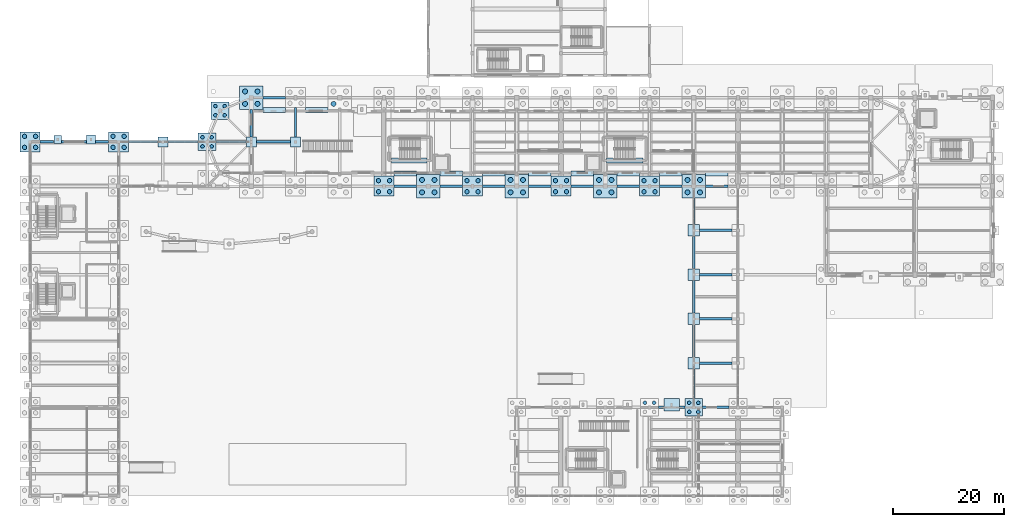
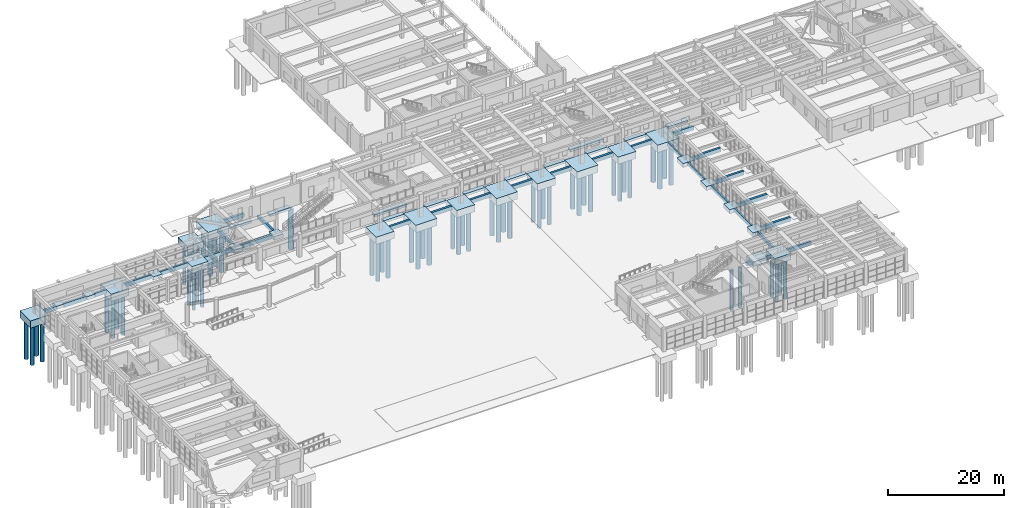
# One storey, part 3 of 68: 66 footings, 59 piles.
"""IFC4 building model written with IfcOpenShell, lengths in metres."""

from ifc_helpers import new_model, si_unit, direction, frame, origin, origin_2d, place, context, subcontext, project, spatial, polyline, rectangle, circle, outline, extrude, material, material_profile, profile_set, type_object, element, save


model = new_model("IFC4")

# Units and contexts
model_context = context("Model", 3, precision=1e-05, world=origin(), true_north=direction((0.0, 1.0)))
body_context = subcontext(model_context, "Body", "Model", "MODEL_VIEW")
ifc_project = project(units=[si_unit("LENGTHUNIT", "METRE"), si_unit("AREAUNIT", "SQUARE_METRE"), si_unit("VOLUMEUNIT", "CUBIC_METRE"), si_unit("PLANEANGLEUNIT", "RADIAN"), si_unit("MASSUNIT", "GRAM", prefix="KILO")], contexts=[model_context])

# Site, building, storey
site_placement = place(None, origin())
site = spatial("IfcSite", under=ifc_project, at=site_placement, CompositionType="ELEMENT")
building_placement = place(site_placement, origin())
building = spatial("IfcBuilding", under=site, at=building_placement, Name="Serraluz Foothill Cableway Terminal", CompositionType="ELEMENT")
storey_placement = place(building_placement, origin())
storey = spatial("IfcBuildingStorey", under=building, at=storey_placement, Name="L00", CompositionType="ELEMENT", Elevation=0.0)

# Footings
ifc_material_1 = material(Name="Concrete C35/45 (f'c 35 MPa)", Category="concrete")
ifc_material_profile_1 = material_profile(ifc_material_1, rectangle(XDim=0.39990234375, YDim=0.64990234375, at=origin_2d()), Name="RC 400x650")
ifc_profile_set_1 = profile_set([ifc_material_profile_1], Name="Concrete C35/45 (f'c 35 MPa)")
footing_type_1 = type_object("IfcFootingType", Name="TYP-FB-400X650", PredefinedType="FOOTING_BEAM", material=ifc_profile_set_1)
footing_1_placement = place(storey_placement, frame((40.0, 64.924072265625, -0.324951171875), z_axis=(0.0, 1.0, 0.0), x_axis=(-1.0, 0.0, 0.0)))
element("IfcFooting", 1, at=footing_1_placement, inside=storey, type_object=footing_type_1, Name="Seismic Tie Footing Beam FB-134", PredefinedType="FOOTING_BEAM", context=body_context, shape_type="SweptSolid", body=[
    extrude(rectangle(XDim=0.39990234375, YDim=0.64990234375, at=origin_2d()), origin(), (0.0, 0.0, 1.0), 4.951904296875),
])
footing_2_placement = place(storey_placement, frame((48.0, 64.924072265625, -0.324951171875), z_axis=(0.0, 1.0, 0.0), x_axis=(-1.0, 0.0, 0.0)))
element("IfcFooting", 2, at=footing_2_placement, inside=storey, type_object=footing_type_1, Name="Seismic Tie Footing Beam FB-136", PredefinedType="FOOTING_BEAM", context=body_context, shape_type="SweptSolid", body=[
    extrude(rectangle(XDim=0.39990234375, YDim=0.64990234375, at=origin_2d()), origin(), (0.0, 0.0, 1.0), 5.251953125),
])
footing_3_placement = place(storey_placement, frame((120.0, 17.6240234375, -0.324951171875), z_axis=(0.0, 1.0, 0.0), x_axis=(-1.0, 0.0, 0.0)))
element("IfcFooting", 3, at=footing_3_placement, inside=storey, type_object=footing_type_1, Name="Seismic Tie Footing Beam FB-152", PredefinedType="FOOTING_BEAM", context=body_context, shape_type="SweptSolid", body=[
    extrude(rectangle(XDim=0.39990234375, YDim=0.64990234375, at=origin_2d()), origin(), (0.0, 0.0, 1.0), 5.302001953125),
])
for number, where, z_axis, x_axis, name in (
    (4, (120.0, 25.073974609375, -0.324951171875), (0.0, 1.0, 0.0), (-1.0, 0.0, 0.0), "Seismic Tie Footing Beam FB-153"),
    (5, (120.0, 33.073974609375, -0.324951171875), (0.0, 1.0, 0.0), (-1.0, 0.0, 0.0), "Seismic Tie Footing Beam FB-154"),
    (6, (120.0, 41.073974609375, -0.324951171875), (0.0, 1.0, 0.0), (-1.0, 0.0, 0.0), "Seismic Tie Footing Beam FB-155"),
):
    element("IfcFooting", number, at=place(storey_placement, frame(where, z_axis=z_axis, x_axis=x_axis)), inside=storey, type_object=footing_type_1, Name=name, PredefinedType="FOOTING_BEAM", context=body_context, shape_type="SweptSolid", body=[
        extrude(rectangle(XDim=0.39990234375, YDim=0.64990234375, at=origin_2d()), origin(), (0.0, 0.0, 1.0), 5.85205078125),
    ])
footing_4_placement = place(storey_placement, frame((120.0, 49.073974609375, -0.324951171875), z_axis=(0.0, 1.0, 0.0), x_axis=(-1.0, 0.0, 0.0)))
element("IfcFooting", 7, at=footing_4_placement, inside=storey, type_object=footing_type_1, Name="Seismic Tie Footing Beam FB-156", PredefinedType="FOOTING_BEAM", context=body_context, shape_type="SweptSolid", body=[
    extrude(rectangle(XDim=0.39990234375, YDim=0.64990234375, at=origin_2d()), origin(), (0.0, 0.0, 1.0), 4.802001953125),
])
ifc_material_profile_2 = material_profile(ifc_material_1, rectangle(XDim=0.449951171875, YDim=0.800048828125, at=origin_2d()), Name="RC 450x800")
ifc_profile_set_2 = profile_set([ifc_material_profile_2], Name="Concrete C35/45 (f'c 35 MPa)")
footing_type_2 = type_object("IfcFootingType", Name="TYP-FB-450X700", PredefinedType="FOOTING_BEAM", material=ifc_profile_set_2)
for number, where, z_axis, x_axis, name in (
    (8, (113.6240234375, 16.0, -0.39990234375), (1.0, 0.0, 0.0), (0.0, 1.0, 0.0), "Seismic Tie Footing Beam FB-044"),
    (9, (117.424072265625, 16.0, -0.39990234375), (1.0, 0.0, 0.0), (0.0, 1.0, 0.0), "Seismic Tie Footing Beam FB-045"),
):
    element("IfcFooting", number, at=place(storey_placement, frame(where, z_axis=z_axis, x_axis=x_axis)), inside=storey, type_object=footing_type_2, Name=name, PredefinedType="FOOTING_BEAM", context=body_context, shape_type="SweptSolid", body=[
        extrude(rectangle(XDim=0.449951171875, YDim=0.800048828125, at=origin_2d()), origin(), (0.0, 0.0, 1.0), 0.951904296875),
    ])
footing_5_placement = place(storey_placement, frame((121.6240234375, 16.0, -0.39990234375), z_axis=(1.0, 0.0, 0.0), x_axis=(0.0, 1.0, 0.0)))
element("IfcFooting", 10, at=footing_5_placement, inside=storey, type_object=footing_type_2, Name="Seismic Tie Footing Beam FB-046", PredefinedType="FOOTING_BEAM", context=body_context, shape_type="SweptSolid", body=[
    extrude(rectangle(XDim=0.449951171875, YDim=0.800048828125, at=origin_2d()), origin(), (0.0, 0.0, 1.0), 4.751953125),
])
for number, where, z_axis, x_axis, name in (
    (11, (121.073974609375, 24.0, -0.39990234375), (1.0, 0.0, 0.0), (0.0, 1.0, 0.0), "Seismic Tie Footing Beam FB-049"),
    (12, (121.073974609375, 32.0, -0.39990234375), (1.0, 0.0, 0.0), (0.0, 1.0, 0.0), "Seismic Tie Footing Beam FB-051"),
    (13, (121.073974609375, 40.0, -0.39990234375), (1.0, 0.0, 0.0), (0.0, 1.0, 0.0), "Seismic Tie Footing Beam FB-053"),
    (14, (121.073974609375, 48.0, -0.39990234375), (1.0, 0.0, 0.0), (0.0, 1.0, 0.0), "Seismic Tie Footing Beam FB-060"),
):
    element("IfcFooting", number, at=place(storey_placement, frame(where, z_axis=z_axis, x_axis=x_axis)), inside=storey, type_object=footing_type_2, Name=name, PredefinedType="FOOTING_BEAM", context=body_context, shape_type="SweptSolid", body=[
        extrude(rectangle(XDim=0.449951171875, YDim=0.800048828125, at=origin_2d()), origin(), (0.0, 0.0, 1.0), 5.85205078125),
    ])
for number, where, z_axis, x_axis, name in (
    (15, (65.823974609375, 56.0, -0.39990234375), (1.0, 0.0, 0.0), (0.0, 1.0, 0.0), "Seismic Tie Footing Beam FB-070"),
    (16, (74.1240234375, 56.0, -0.39990234375), (1.0, 0.0, 0.0), (0.0, 1.0, 0.0), "Seismic Tie Footing Beam FB-071"),
    (17, (81.823974609375, 56.0, -0.39990234375), (1.0, 0.0, 0.0), (0.0, 1.0, 0.0), "Seismic Tie Footing Beam FB-072"),
    (18, (90.1240234375, 56.0, -0.39990234375), (1.0, 0.0, 0.0), (0.0, 1.0, 0.0), "Seismic Tie Footing Beam FB-073"),
    (19, (97.823974609375, 56.0, -0.39990234375), (1.0, 0.0, 0.0), (0.0, 1.0, 0.0), "Seismic Tie Footing Beam FB-074"),
    (20, (106.1240234375, 56.0, -0.39990234375), (1.0, 0.0, 0.0), (0.0, 1.0, 0.0), "Seismic Tie Footing Beam FB-075"),
    (21, (113.823974609375, 56.0, -0.39990234375), (1.0, 0.0, 0.0), (0.0, 1.0, 0.0), "Seismic Tie Footing Beam FB-076"),
    (22, (122.1240234375, 56.0, -0.39990234375), (1.0, 0.0, 0.0), (0.0, 1.0, 0.0), "Seismic Tie Footing Beam FB-077"),
):
    element("IfcFooting", number, at=place(storey_placement, frame(where, z_axis=z_axis, x_axis=x_axis)), inside=storey, type_object=footing_type_2, Name=name, PredefinedType="FOOTING_BEAM", context=body_context, shape_type="SweptSolid", body=[
        extrude(rectangle(XDim=0.449951171875, YDim=0.800048828125, at=origin_2d()), origin(), (0.0, 0.0, 1.0), 4.052001953125),
    ])
footing_6_placement = place(storey_placement, frame((1.823974609375, 64.0, -0.39990234375), z_axis=(1.0, 0.0, 0.0), x_axis=(0.0, 1.0, 0.0)))
element("IfcFooting", 23, at=footing_6_placement, inside=storey, type_object=footing_type_2, Name="Seismic Tie Footing Beam FB-083", PredefinedType="FOOTING_BEAM", context=body_context, shape_type="SweptSolid", body=[
    extrude(rectangle(XDim=0.449951171875, YDim=0.800048828125, at=origin_2d()), origin(), (0.0, 0.0, 1.0), 2.451904296875),
])
footing_7_placement = place(storey_placement, frame((5.72412109375, 64.0, -0.39990234375), z_axis=(1.0, 0.0, 0.0), x_axis=(0.0, 1.0, 0.0)))
element("IfcFooting", 24, at=footing_7_placement, inside=storey, type_object=footing_type_2, Name="Seismic Tie Footing Beam FB-084", PredefinedType="FOOTING_BEAM", context=body_context, shape_type="SweptSolid", body=[
    extrude(rectangle(XDim=0.449951171875, YDim=0.800048828125, at=origin_2d()), origin(), (0.0, 0.0, 1.0), 4.451904296875),
])
footing_8_placement = place(storey_placement, frame((11.823974609375, 64.0, -0.39990234375), z_axis=(1.0, 0.0, 0.0), x_axis=(0.0, 1.0, 0.0)))
element("IfcFooting", 25, at=footing_8_placement, inside=storey, type_object=footing_type_2, Name="Seismic Tie Footing Beam FB-085", PredefinedType="FOOTING_BEAM", context=body_context, shape_type="SweptSolid", body=[
    extrude(rectangle(XDim=0.449951171875, YDim=0.800048828125, at=origin_2d()), origin(), (0.0, 0.0, 1.0), 2.35205078125),
])
footing_9_placement = place(storey_placement, frame((17.823974609375, 64.0, -0.39990234375), z_axis=(1.0, 0.0, 0.0), x_axis=(0.0, 1.0, 0.0)))
element("IfcFooting", 26, at=footing_9_placement, inside=storey, type_object=footing_type_2, Name="Seismic Tie Footing Beam FB-086", PredefinedType="FOOTING_BEAM", context=body_context, shape_type="SweptSolid", body=[
    extrude(rectangle(XDim=0.449951171875, YDim=0.800048828125, at=origin_2d()), origin(), (0.0, 0.0, 1.0), 5.251953125),
])
for number, where, z_axis, x_axis, name in (
    (27, (24.924072265625, 64.0, -0.39990234375), (1.0, 0.0, 0.0), (0.0, 1.0, 0.0), "Seismic Tie Footing Beam FB-087"),
    (28, (33.6240234375, 64.0, -0.39990234375), (1.0, 0.0, 0.0), (0.0, 1.0, 0.0), "Seismic Tie Footing Beam FB-088"),
):
    element("IfcFooting", number, at=place(storey_placement, frame(where, z_axis=z_axis, x_axis=x_axis)), inside=storey, type_object=footing_type_2, Name=name, PredefinedType="FOOTING_BEAM", context=body_context, shape_type="SweptSolid", body=[
        extrude(rectangle(XDim=0.449951171875, YDim=0.800048828125, at=origin_2d()), origin(), (0.0, 0.0, 1.0), 5.451904296875),
    ])
footing_10_placement = place(storey_placement, frame((40.924072265625, 64.0, -0.39990234375), z_axis=(1.0, 0.0, 0.0), x_axis=(0.0, 1.0, 0.0)))
element("IfcFooting", 29, at=footing_10_placement, inside=storey, type_object=footing_type_2, Name="Seismic Tie Footing Beam FB-089", PredefinedType="FOOTING_BEAM", context=body_context, shape_type="SweptSolid", body=[
    extrude(rectangle(XDim=0.449951171875, YDim=0.800048828125, at=origin_2d()), origin(), (0.0, 0.0, 1.0), 6.15185546875),
])
footing_11_placement = place(storey_placement, frame((42.1240234375, 72.0, -0.39990234375), z_axis=(1.0, 0.0, 0.0), x_axis=(0.0, 1.0, 0.0)))
element("IfcFooting", 30, at=footing_11_placement, inside=storey, type_object=footing_type_2, Name="Seismic Tie Footing Beam FB-090", PredefinedType="FOOTING_BEAM", context=body_context, shape_type="SweptSolid", body=[
    extrude(rectangle(XDim=0.449951171875, YDim=0.800048828125, at=origin_2d()), origin(), (0.0, 0.0, 1.0), 4.052001953125),
])
footing_type_3 = type_object("IfcFootingType", Name="TYP-PAD-1400X1400X650", PredefinedType="PAD_FOOTING", material=ifc_material_1)
footing_12_placement = place(storey_placement, frame((5.0, 64.419921875, -0.64990234375), z_axis=(0.0, 0.0, 1.0), x_axis=(1.0, 0.0, 0.0)))
element("IfcFooting", 31, at=footing_12_placement, inside=storey, type_object=footing_type_3, Name="Pilaster Pad Footing 36", PredefinedType="PAD_FOOTING", context=body_context, shape_type="SweptSolid", body=[
    extrude(rectangle(XDim=1.39990234375, YDim=1.39990234375, at=origin_2d()), origin(), (0.0, 0.0, 1.0), 0.64990234375),
])
footing_type_4 = type_object("IfcFootingType", Name="TYP-PAD-1600X1600X700", PredefinedType="PAD_FOOTING", material=ifc_material_1)
footing_13_placement = place(storey_placement, frame((11.0, 64.419921875, -0.7001953125), z_axis=(0.0, 0.0, 1.0), x_axis=(1.0, 0.0, 0.0)))
element("IfcFooting", 32, at=footing_13_placement, inside=storey, type_object=footing_type_4, Name="Pilaster Pad Footing 37", PredefinedType="PAD_FOOTING", context=body_context, shape_type="SweptSolid", body=[
    extrude(rectangle(XDim=1.60009765625, YDim=1.60009765625, at=origin_2d()), origin(), (0.0, 0.0, 1.0), 0.699951171875),
])
footing_type_5 = type_object("IfcFootingType", Name="TYP-PAD-1800X1800X750", PredefinedType="PAD_FOOTING", material=ifc_material_1)
for number, where, z_axis, x_axis, name in (
    (33, (24.0, 64.0, -0.75), (0.0, 0.0, 1.0), (1.0, 0.0, 0.0), "Pad Footing FTG-PAD-L00-087"),
    (34, (48.0, 64.0, -0.75), (0.0, 0.0, 1.0), (1.0, 0.0, 0.0), "Pad Footing FTG-PAD-L00-088"),
    (35, (40.0, 64.0, -0.75), (0.0, 0.0, 1.0), (1.0, 0.0, 0.0), "West Link Bridge Footing FTG-V5-LK-40-64"),
):
    element("IfcFooting", number, at=place(storey_placement, frame(where, z_axis=z_axis, x_axis=x_axis)), inside=storey, type_object=footing_type_5, Name=name, PredefinedType="PAD_FOOTING", context=body_context, shape_type="SweptSolid", body=[
        extrude(rectangle(XDim=1.800048828125, YDim=1.800048828125, at=origin_2d()), origin(), (0.0, 0.0, 1.0), 0.75),
    ])
footing_type_6 = type_object("IfcFootingType", Name="TYP-PAD-2100X2100X850", PredefinedType="PAD_FOOTING", material=ifc_material_1)
for number, where, z_axis, x_axis, name in (
    (36, (120.0, 24.0, -0.85009765625), (0.0, 0.0, 1.0), (1.0, 0.0, 0.0), "Pad Footing FTG-PAD-L00-056"),
    (37, (120.0, 32.0, -0.85009765625), (0.0, 0.0, 1.0), (1.0, 0.0, 0.0), "Pad Footing FTG-PAD-L00-058"),
    (38, (120.0, 40.0, -0.85009765625), (0.0, 0.0, 1.0), (1.0, 0.0, 0.0), "Pad Footing FTG-PAD-L00-060"),
    (39, (120.0, 48.0, -0.85009765625), (0.0, 0.0, 1.0), (1.0, 0.0, 0.0), "Pad Footing FTG-PAD-L00-062"),
):
    element("IfcFooting", number, at=place(storey_placement, frame(where, z_axis=z_axis, x_axis=x_axis)), inside=storey, type_object=footing_type_6, Name=name, PredefinedType="PAD_FOOTING", context=body_context, shape_type="SweptSolid", body=[
        extrude(rectangle(XDim=2.10009765625, YDim=2.10009765625, at=origin_2d()), origin(), (0.0, 0.0, 1.0), 0.85009765625),
    ])
footing_type_7 = type_object("IfcFootingType", Name="TYP-PAD-2800X2200X950", PredefinedType="PAD_FOOTING", material=ifc_material_1)
footing_14_placement = place(storey_placement, frame((116.0, 16.47998046875, -0.9501953125), z_axis=(0.0, 0.0, 1.0), x_axis=(1.0, 0.0, 0.0)))
element("IfcFooting", 40, at=footing_14_placement, inside=storey, type_object=footing_type_7, Name="Pilaster Pad Footing 20", PredefinedType="PAD_FOOTING", context=body_context, shape_type="SweptSolid", body=[
    extrude(rectangle(XDim=2.800048828125, YDim=2.199951171875, at=origin_2d()), origin(), (0.0, 0.0, 1.0), 0.949951171875),
])
footing_type_8 = type_object("IfcFootingType", Name="TYP-PC-3200X3200X1350", PredefinedType="PILE_CAP", material=ifc_material_1)
footing_15_placement = place(storey_placement, frame((0.0, 0.0, -1.35009765625)))
element("IfcFooting", 41, at=footing_15_placement, inside=storey, type_object=footing_type_8, Name="Pile Cap FTG-PC-L00-032", PredefinedType="PILE_CAP", context=body_context, shape_type="SweptSolid", body=[
    extrude(outline(polyline([(30.39990234375, 62.39990234375), (33.60009765625, 62.39990234375), (33.60009765625, 65.60009765625), (30.39990234375, 65.60009765625), (30.39990234375, 62.39990234375)])), origin(), (0.0, 0.0, 1.0), 1.35009765625),
])
footing_16_placement = place(storey_placement, frame((0.0, 0.0, -1.35009765625)))
element("IfcFooting", 42, at=footing_16_placement, inside=storey, type_object=footing_type_8, Name="Pile Cap FTG-PC-L00-033", PredefinedType="PILE_CAP", context=body_context, shape_type="SweptSolid", body=[
    extrude(outline(polyline([(32.7431640625, 68.056884765625), (35.943115234375, 68.056884765625), (35.943115234375, 71.2568359375), (32.7431640625, 71.2568359375), (32.7431640625, 68.056884765625)])), origin(), (0.0, 0.0, 1.0), 1.35009765625),
])
footing_17_placement = place(storey_placement, frame((0.0, 0.0, -1.35009765625)))
element("IfcFooting", 43, at=footing_17_placement, inside=storey, type_object=footing_type_8, Name="Pile Cap FTG-PC-L00-051", PredefinedType="PILE_CAP", context=body_context, shape_type="SweptSolid", body=[
    extrude(outline(polyline([(118.39990234375, 14.39990234375), (121.60009765625, 14.39990234375), (121.60009765625, 17.60009765625), (118.39990234375, 17.60009765625), (118.39990234375, 14.39990234375)])), origin(), (0.0, 0.0, 1.0), 1.35009765625),
])
footing_type_9 = type_object("IfcFootingType", Name="TYP-PC-3600X3600X1500", PredefinedType="PILE_CAP", material=ifc_material_1)
footing_18_placement = place(storey_placement, frame((0.0, 0.0, -1.5)))
element("IfcFooting", 44, at=footing_18_placement, inside=storey, type_object=footing_type_9, Name="Pile Cap FTG-PC-L00-007", PredefinedType="PILE_CAP", context=body_context, shape_type="SweptSolid", body=[
    extrude(outline(polyline([(62.199951171875, 54.199951171875), (65.800048828125, 54.199951171875), (65.800048828125, 57.800048828125), (62.199951171875, 57.800048828125), (62.199951171875, 54.199951171875)])), origin(), (0.0, 0.0, 1.0), 1.5),
])
footing_19_placement = place(storey_placement, frame((0.0, 0.0, -1.5)))
element("IfcFooting", 45, at=footing_19_placement, inside=storey, type_object=footing_type_9, Name="Pile Cap FTG-PC-L00-011", PredefinedType="PILE_CAP", context=body_context, shape_type="SweptSolid", body=[
    extrude(outline(polyline([(78.199951171875, 54.199951171875), (81.800048828125, 54.199951171875), (81.800048828125, 57.800048828125), (78.199951171875, 57.800048828125), (78.199951171875, 54.199951171875)])), origin(), (0.0, 0.0, 1.0), 1.5),
])
footing_20_placement = place(storey_placement, frame((0.0, 0.0, -1.5)))
element("IfcFooting", 46, at=footing_20_placement, inside=storey, type_object=footing_type_9, Name="Pile Cap FTG-PC-L00-015", PredefinedType="PILE_CAP", context=body_context, shape_type="SweptSolid", body=[
    extrude(outline(polyline([(94.199951171875, 54.199951171875), (97.800048828125, 54.199951171875), (97.800048828125, 57.800048828125), (94.199951171875, 57.800048828125), (94.199951171875, 54.199951171875)])), origin(), (0.0, 0.0, 1.0), 1.5),
])
footing_21_placement = place(storey_placement, frame((0.0, 0.0, -1.5)))
element("IfcFooting", 47, at=footing_21_placement, inside=storey, type_object=footing_type_9, Name="Pile Cap FTG-PC-L00-019", PredefinedType="PILE_CAP", context=body_context, shape_type="SweptSolid", body=[
    extrude(outline(polyline([(110.199951171875, 54.199951171875), (113.800048828125, 54.199951171875), (113.800048828125, 57.800048828125), (110.199951171875, 57.800048828125), (110.199951171875, 54.199951171875)])), origin(), (0.0, 0.0, 1.0), 1.5),
])
footing_22_placement = place(storey_placement, frame((0.0, 0.0, -1.5)))
element("IfcFooting", 48, at=footing_22_placement, inside=storey, type_object=footing_type_9, Name="Pile Cap FTG-PC-L00-084", PredefinedType="PILE_CAP", context=body_context, shape_type="SweptSolid", body=[
    extrude(outline(polyline([(-1.800048828125, 62.199951171875), (1.800048828125, 62.199951171875), (1.800048828125, 65.800048828125), (-1.800048828125, 65.800048828125), (-1.800048828125, 62.199951171875)])), origin(), (0.0, 0.0, 1.0), 1.5),
])
footing_23_placement = place(storey_placement, frame((0.0, 0.0, -1.5)))
element("IfcFooting", 49, at=footing_23_placement, inside=storey, type_object=footing_type_9, Name="Pile Cap FTG-PC-L00-085", PredefinedType="PILE_CAP", context=body_context, shape_type="SweptSolid", body=[
    extrude(outline(polyline([(14.199951171875, 62.199951171875), (17.800048828125, 62.199951171875), (17.800048828125, 65.800048828125), (14.199951171875, 65.800048828125), (14.199951171875, 62.199951171875)])), origin(), (0.0, 0.0, 1.0), 1.5),
])
footing_type_10 = type_object("IfcFootingType", Name="TYP-PC-4200X4200X1550", PredefinedType="PILE_CAP", material=ifc_material_1)
footing_24_placement = place(storey_placement, frame((0.0, 0.0, -1.550048828125)))
element("IfcFooting", 50, at=footing_24_placement, inside=storey, type_object=footing_type_10, Name="Pile Cap FTG-PC-L00-002", PredefinedType="PILE_CAP", context=body_context, shape_type="SweptSolid", body=[
    extrude(outline(polyline([(37.89990234375, 69.89990234375), (42.10009765625, 69.89990234375), (42.10009765625, 74.10009765625), (37.89990234375, 74.10009765625), (37.89990234375, 69.89990234375)])), origin(), (0.0, 0.0, 1.0), 1.550048828125),
])
footing_25_placement = place(storey_placement, frame((0.0, 0.0, -1.550048828125)))
element("IfcFooting", 51, at=footing_25_placement, inside=storey, type_object=footing_type_10, Name="Pile Cap FTG-PC-L00-009", PredefinedType="PILE_CAP", context=body_context, shape_type="SweptSolid", body=[
    extrude(outline(polyline([(69.89990234375, 53.89990234375), (74.10009765625, 53.89990234375), (74.10009765625, 58.10009765625), (69.89990234375, 58.10009765625), (69.89990234375, 53.89990234375)])), origin(), (0.0, 0.0, 1.0), 1.550048828125),
])
footing_26_placement = place(storey_placement, frame((0.0, 0.0, -1.550048828125)))
element("IfcFooting", 52, at=footing_26_placement, inside=storey, type_object=footing_type_10, Name="Pile Cap FTG-PC-L00-013", PredefinedType="PILE_CAP", context=body_context, shape_type="SweptSolid", body=[
    extrude(outline(polyline([(85.89990234375, 53.89990234375), (90.10009765625, 53.89990234375), (90.10009765625, 58.10009765625), (85.89990234375, 58.10009765625), (85.89990234375, 53.89990234375)])), origin(), (0.0, 0.0, 1.0), 1.550048828125),
])
footing_27_placement = place(storey_placement, frame((0.0, 0.0, -1.550048828125)))
element("IfcFooting", 53, at=footing_27_placement, inside=storey, type_object=footing_type_10, Name="Pile Cap FTG-PC-L00-017", PredefinedType="PILE_CAP", context=body_context, shape_type="SweptSolid", body=[
    extrude(outline(polyline([(101.89990234375, 53.89990234375), (106.10009765625, 53.89990234375), (106.10009765625, 58.10009765625), (101.89990234375, 58.10009765625), (101.89990234375, 53.89990234375)])), origin(), (0.0, 0.0, 1.0), 1.550048828125),
])
footing_28_placement = place(storey_placement, frame((0.0, 0.0, -1.550048828125)))
element("IfcFooting", 54, at=footing_28_placement, inside=storey, type_object=footing_type_10, Name="Pile Cap FTG-PC-L00-021", PredefinedType="PILE_CAP", context=body_context, shape_type="SweptSolid", body=[
    extrude(outline(polyline([(117.89990234375, 53.89990234375), (122.10009765625, 53.89990234375), (122.10009765625, 58.10009765625), (117.89990234375, 58.10009765625), (117.89990234375, 53.89990234375)])), origin(), (0.0, 0.0, 1.0), 1.550048828125),
])

# Piles
ifc_material_2 = material(Name="Concrete C28/35 (f'c 28 MPa)", Category="concrete")
ifc_material_profile_3 = material_profile(ifc_material_2, circle(Radius=0.324951171875, at=origin_2d()), Name="BORED PILE D650")
ifc_profile_set_3 = profile_set([ifc_material_profile_3], Name="Concrete C28/35 (f'c 28 MPa)")
pile_type_1 = type_object("IfcPileType", Name="TYP-PILE-D650", PredefinedType="BORED", material=ifc_profile_set_3)
for number, where, z_axis, x_axis, name in (
    (55, (31.175048828125, 63.175048828125, -1.25), (0.0, 0.0, -1.0), (1.0, 0.0, 0.0), "Bored Pile PIL-L00-032-01"),
    (56, (31.175048828125, 64.824951171875, -1.25), (0.0, 0.0, -1.0), (1.0, 0.0, 0.0), "Bored Pile PIL-L00-032-02"),
    (57, (32.824951171875, 63.175048828125, -1.25), (0.0, 0.0, -1.0), (1.0, 0.0, 0.0), "Bored Pile PIL-L00-032-03"),
    (58, (32.824951171875, 64.824951171875, -1.25), (0.0, 0.0, -1.0), (1.0, 0.0, 0.0), "Bored Pile PIL-L00-032-04"),
    (59, (33.51806640625, 68.831787109375, -1.25), (0.0, 0.0, -1.0), (1.0, 0.0, 0.0), "Bored Pile PIL-L00-033-01"),
    (60, (33.51806640625, 70.48193359375, -1.25), (0.0, 0.0, -1.0), (1.0, 0.0, 0.0), "Bored Pile PIL-L00-033-02"),
    (61, (35.168212890625, 68.831787109375, -1.25), (0.0, 0.0, -1.0), (1.0, 0.0, 0.0), "Bored Pile PIL-L00-033-03"),
    (62, (35.168212890625, 70.48193359375, -1.25), (0.0, 0.0, -1.0), (1.0, 0.0, 0.0), "Bored Pile PIL-L00-033-04"),
    (63, (111.175048828125, 16.824951171875, -1.25), (0.0, 0.0, -1.0), (1.0, 0.0, 0.0), "Bored Pile PIL-L00-049-02"),
    (64, (112.824951171875, 16.824951171875, -1.25), (0.0, 0.0, -1.0), (1.0, 0.0, 0.0), "Bored Pile PIL-L00-049-04"),
    (65, (119.175048828125, 15.175048828125, -1.25), (0.0, 0.0, -1.0), (1.0, 0.0, 0.0), "Bored Pile PIL-L00-051-01"),
    (66, (119.175048828125, 16.824951171875, -1.25), (0.0, 0.0, -1.0), (1.0, 0.0, 0.0), "Bored Pile PIL-L00-051-02"),
    (67, (120.824951171875, 15.175048828125, -1.25), (0.0, 0.0, -1.0), (1.0, 0.0, 0.0), "Bored Pile PIL-L00-051-03"),
    (68, (120.824951171875, 16.824951171875, -1.25), (0.0, 0.0, -1.0), (1.0, 0.0, 0.0), "Bored Pile PIL-L00-051-04"),
):
    element("IfcPile", number, at=place(storey_placement, frame(where, z_axis=z_axis, x_axis=x_axis)), inside=storey, type_object=pile_type_1, Name=name, PredefinedType="BORED", context=body_context, shape_type="SweptSolid", body=[
        extrude(circle(Radius=0.324951171875, at=origin_2d()), origin(), (0.0, 0.0, 1.0), 8.39990234375),
    ])
ifc_material_profile_4 = material_profile(ifc_material_2, circle(Radius=0.39990234375, at=origin_2d()), Name="BORED PILE D800")
ifc_profile_set_4 = profile_set([ifc_material_profile_4], Name="Concrete C28/35 (f'c 28 MPa)")
pile_type_2 = type_object("IfcPileType", Name="TYP-PILE-D800", PredefinedType="BORED", material=ifc_profile_set_4)
for number, where, z_axis, x_axis, name in (
    (69, (63.0, 55.0, -1.39990234375), (0.0, 0.0, -1.0), (1.0, 0.0, 0.0), "Bored Pile PIL-L00-007-01"),
    (70, (63.0, 57.0, -1.39990234375), (0.0, 0.0, -1.0), (1.0, 0.0, 0.0), "Bored Pile PIL-L00-007-02"),
    (71, (65.0, 55.0, -1.39990234375), (0.0, 0.0, -1.0), (1.0, 0.0, 0.0), "Bored Pile PIL-L00-007-03"),
    (72, (65.0, 57.0, -1.39990234375), (0.0, 0.0, -1.0), (1.0, 0.0, 0.0), "Bored Pile PIL-L00-007-04"),
    (73, (79.0, 55.0, -1.39990234375), (0.0, 0.0, -1.0), (1.0, 0.0, 0.0), "Bored Pile PIL-L00-011-01"),
    (74, (79.0, 57.0, -1.39990234375), (0.0, 0.0, -1.0), (1.0, 0.0, 0.0), "Bored Pile PIL-L00-011-02"),
    (75, (81.0, 55.0, -1.39990234375), (0.0, 0.0, -1.0), (1.0, 0.0, 0.0), "Bored Pile PIL-L00-011-03"),
    (76, (81.0, 57.0, -1.39990234375), (0.0, 0.0, -1.0), (1.0, 0.0, 0.0), "Bored Pile PIL-L00-011-04"),
    (77, (95.0, 55.0, -1.39990234375), (0.0, 0.0, -1.0), (1.0, 0.0, 0.0), "Bored Pile PIL-L00-015-01"),
    (78, (95.0, 57.0, -1.39990234375), (0.0, 0.0, -1.0), (1.0, 0.0, 0.0), "Bored Pile PIL-L00-015-02"),
    (79, (97.0, 55.0, -1.39990234375), (0.0, 0.0, -1.0), (1.0, 0.0, 0.0), "Bored Pile PIL-L00-015-03"),
    (80, (97.0, 57.0, -1.39990234375), (0.0, 0.0, -1.0), (1.0, 0.0, 0.0), "Bored Pile PIL-L00-015-04"),
    (81, (111.0, 55.0, -1.39990234375), (0.0, 0.0, -1.0), (1.0, 0.0, 0.0), "Bored Pile PIL-L00-019-01"),
    (82, (111.0, 57.0, -1.39990234375), (0.0, 0.0, -1.0), (1.0, 0.0, 0.0), "Bored Pile PIL-L00-019-02"),
    (83, (113.0, 55.0, -1.39990234375), (0.0, 0.0, -1.0), (1.0, 0.0, 0.0), "Bored Pile PIL-L00-019-03"),
    (84, (113.0, 57.0, -1.39990234375), (0.0, 0.0, -1.0), (1.0, 0.0, 0.0), "Bored Pile PIL-L00-019-04"),
    (85, (-1.0, 63.0, -1.39990234375), (0.0, 0.0, -1.0), (1.0, 0.0, 0.0), "Bored Pile PIL-L00-084-01"),
    (86, (-1.0, 65.0, -1.39990234375), (0.0, 0.0, -1.0), (1.0, 0.0, 0.0), "Bored Pile PIL-L00-084-02"),
    (87, (1.0, 63.0, -1.39990234375), (0.0, 0.0, -1.0), (1.0, 0.0, 0.0), "Bored Pile PIL-L00-084-03"),
    (88, (1.0, 65.0, -1.39990234375), (0.0, 0.0, -1.0), (1.0, 0.0, 0.0), "Bored Pile PIL-L00-084-04"),
    (89, (15.0, 63.0, -1.39990234375), (0.0, 0.0, -1.0), (1.0, 0.0, 0.0), "Bored Pile PIL-L00-085-01"),
    (90, (15.0, 65.0, -1.39990234375), (0.0, 0.0, -1.0), (1.0, 0.0, 0.0), "Bored Pile PIL-L00-085-02"),
    (91, (17.0, 63.0, -1.39990234375), (0.0, 0.0, -1.0), (1.0, 0.0, 0.0), "Bored Pile PIL-L00-085-03"),
    (92, (17.0, 65.0, -1.39990234375), (0.0, 0.0, -1.0), (1.0, 0.0, 0.0), "Bored Pile PIL-L00-085-04"),
):
    element("IfcPile", number, at=place(storey_placement, frame(where, z_axis=z_axis, x_axis=x_axis)), inside=storey, type_object=pile_type_2, Name=name, PredefinedType="BORED", context=body_context, shape_type="SweptSolid", body=[
        extrude(circle(Radius=0.39990234375, at=origin_2d()), origin(), (0.0, 0.0, 1.0), 8.39990234375),
    ])
ifc_material_profile_5 = material_profile(ifc_material_2, circle(Radius=0.449951171875, at=origin_2d()), Name="BORED PILE D900")
ifc_profile_set_5 = profile_set([ifc_material_profile_5], Name="Concrete C28/35 (f'c 28 MPa)")
pile_type_3 = type_object("IfcPileType", Name="TYP-PILE-D900", PredefinedType="BORED", material=ifc_profile_set_5)
for number, where, z_axis, x_axis, name in (
    (93, (38.875, 70.875, -1.449951171875), (0.0, 0.0, -1.0), (1.0, 0.0, 0.0), "Bored Pile PIL-L00-002-01"),
    (94, (38.875, 73.125, -1.449951171875), (0.0, 0.0, -1.0), (1.0, 0.0, 0.0), "Bored Pile PIL-L00-002-02"),
    (95, (41.125, 70.875, -1.449951171875), (0.0, 0.0, -1.0), (1.0, 0.0, 0.0), "Bored Pile PIL-L00-002-03"),
    (96, (41.125, 73.125, -1.449951171875), (0.0, 0.0, -1.0), (1.0, 0.0, 0.0), "Bored Pile PIL-L00-002-04"),
    (97, (54.875, 70.875, -1.449951171875), (0.0, 0.0, -1.0), (1.0, 0.0, 0.0), "Bored Pile PIL-L00-006-01"),
    (98, (70.875, 54.875, -1.449951171875), (0.0, 0.0, -1.0), (1.0, 0.0, 0.0), "Bored Pile PIL-L00-009-01"),
    (99, (70.875, 57.125, -1.449951171875), (0.0, 0.0, -1.0), (1.0, 0.0, 0.0), "Bored Pile PIL-L00-009-02"),
    (100, (73.125, 54.875, -1.449951171875), (0.0, 0.0, -1.0), (1.0, 0.0, 0.0), "Bored Pile PIL-L00-009-03"),
    (101, (73.125, 57.125, -1.449951171875), (0.0, 0.0, -1.0), (1.0, 0.0, 0.0), "Bored Pile PIL-L00-009-04"),
    (102, (86.875, 54.875, -1.449951171875), (0.0, 0.0, -1.0), (1.0, 0.0, 0.0), "Bored Pile PIL-L00-013-01"),
    (103, (86.875, 57.125, -1.449951171875), (0.0, 0.0, -1.0), (1.0, 0.0, 0.0), "Bored Pile PIL-L00-013-02"),
    (104, (89.125, 54.875, -1.449951171875), (0.0, 0.0, -1.0), (1.0, 0.0, 0.0), "Bored Pile PIL-L00-013-03"),
    (105, (89.125, 57.125, -1.449951171875), (0.0, 0.0, -1.0), (1.0, 0.0, 0.0), "Bored Pile PIL-L00-013-04"),
    (106, (102.875, 54.875, -1.449951171875), (0.0, 0.0, -1.0), (1.0, 0.0, 0.0), "Bored Pile PIL-L00-017-01"),
    (107, (102.875, 57.125, -1.449951171875), (0.0, 0.0, -1.0), (1.0, 0.0, 0.0), "Bored Pile PIL-L00-017-02"),
    (108, (105.125, 54.875, -1.449951171875), (0.0, 0.0, -1.0), (1.0, 0.0, 0.0), "Bored Pile PIL-L00-017-03"),
    (109, (105.125, 57.125, -1.449951171875), (0.0, 0.0, -1.0), (1.0, 0.0, 0.0), "Bored Pile PIL-L00-017-04"),
    (110, (118.875, 54.875, -1.449951171875), (0.0, 0.0, -1.0), (1.0, 0.0, 0.0), "Bored Pile PIL-L00-021-01"),
    (111, (118.875, 57.125, -1.449951171875), (0.0, 0.0, -1.0), (1.0, 0.0, 0.0), "Bored Pile PIL-L00-021-02"),
    (112, (121.125, 54.875, -1.449951171875), (0.0, 0.0, -1.0), (1.0, 0.0, 0.0), "Bored Pile PIL-L00-021-03"),
    (113, (121.125, 57.125, -1.449951171875), (0.0, 0.0, -1.0), (1.0, 0.0, 0.0), "Bored Pile PIL-L00-021-04"),
):
    element("IfcPile", number, at=place(storey_placement, frame(where, z_axis=z_axis, x_axis=x_axis)), inside=storey, type_object=pile_type_3, Name=name, PredefinedType="BORED", context=body_context, shape_type="SweptSolid", body=[
        extrude(circle(Radius=0.449951171875, at=origin_2d()), origin(), (0.0, 0.0, 1.0), 8.39990234375),
    ])

# Footings
ifc_material_profile_6 = material_profile(ifc_material_1, rectangle(XDim=0.89990234375, YDim=0.5, at=origin_2d()), Name="SF 900x500")
ifc_profile_set_6 = profile_set([ifc_material_profile_6], Name="Concrete C35/45 (f'c 35 MPa)")
footing_type_11 = type_object("IfcFootingType", Name="TYP-SF-900X500", PredefinedType="STRIP_FOOTING", material=ifc_profile_set_6)
for number, where, z_axis, x_axis, name in (
    (114, (65.823974609375, 58.25, -0.25), (1.0, 0.0, 0.0), (0.0, 1.0, 0.0), "Continuous Strip Footing SF-V1-RECS-4"),
    (115, (74.1240234375, 58.25, -0.25), (1.0, 0.0, 0.0), (0.0, 1.0, 0.0), "Continuous Strip Footing SF-V1-RECS-5"),
    (116, (81.823974609375, 58.25, -0.25), (1.0, 0.0, 0.0), (0.0, 1.0, 0.0), "Continuous Strip Footing SF-V1-RECS-6"),
    (117, (90.1240234375, 58.25, -0.25), (1.0, 0.0, 0.0), (0.0, 1.0, 0.0), "Continuous Strip Footing SF-V1-RECS-7"),
    (118, (97.823974609375, 58.25, -0.25), (1.0, 0.0, 0.0), (0.0, 1.0, 0.0), "Continuous Strip Footing SF-V1-RECS-8"),
    (119, (106.1240234375, 58.25, -0.25), (1.0, 0.0, 0.0), (0.0, 1.0, 0.0), "Continuous Strip Footing SF-V1-RECS-9"),
    (120, (113.823974609375, 58.25, -0.25), (1.0, 0.0, 0.0), (0.0, 1.0, 0.0), "Continuous Strip Footing SF-V1-RECS-10"),
    (121, (122.1240234375, 58.25, -0.25), (1.0, 0.0, 0.0), (0.0, 1.0, 0.0), "Continuous Strip Footing SF-V1-RECS-11"),
    (122, (42.1240234375, 69.75, -0.25), (1.0, 0.0, 0.0), (0.0, 1.0, 0.0), "Continuous Strip Footing SF-V1-RECN-1"),
    (123, (49.823974609375, 69.75, -0.25), (1.0, 0.0, 0.0), (0.0, 1.0, 0.0), "Continuous Strip Footing SF-V1-RECN-2"),
):
    element("IfcFooting", number, at=place(storey_placement, frame(where, z_axis=z_axis, x_axis=x_axis)), inside=storey, type_object=footing_type_11, Name=name, PredefinedType="STRIP_FOOTING", context=body_context, shape_type="SweptSolid", body=[
        extrude(rectangle(XDim=0.89990234375, YDim=0.5, at=origin_2d()), origin(), (0.0, 0.0, 1.0), 4.052001953125),
    ])
footing_29_placement = place(storey_placement, frame((65.323974609375, 60.64990234375, -0.25), z_axis=(1.0, 0.0, 0.0), x_axis=(0.0, 1.0, 0.0)))
element("IfcFooting", 124, at=footing_29_placement, inside=storey, type_object=footing_type_11, Name="Continuous Strip Footing SF-CORE-3-S", PredefinedType="STRIP_FOOTING", context=body_context, shape_type="SweptSolid", body=[
    extrude(rectangle(XDim=0.89990234375, YDim=0.5, at=origin_2d()), origin(), (0.0, 0.0, 1.0), 6.451904296875),
])
footing_30_placement = place(storey_placement, frame((104.22412109375, 60.64990234375, -0.25), z_axis=(1.0, 0.0, 0.0), x_axis=(0.0, 1.0, 0.0)))
element("IfcFooting", 125, at=footing_30_placement, inside=storey, type_object=footing_type_11, Name="Continuous Strip Footing SF-CORE-4-S", PredefinedType="STRIP_FOOTING", context=body_context, shape_type="SweptSolid", body=[
    extrude(rectangle(XDim=0.89990234375, YDim=0.5, at=origin_2d()), origin(), (0.0, 0.0, 1.0), 6.61181640625),
])

save(model, "model.ifc")
